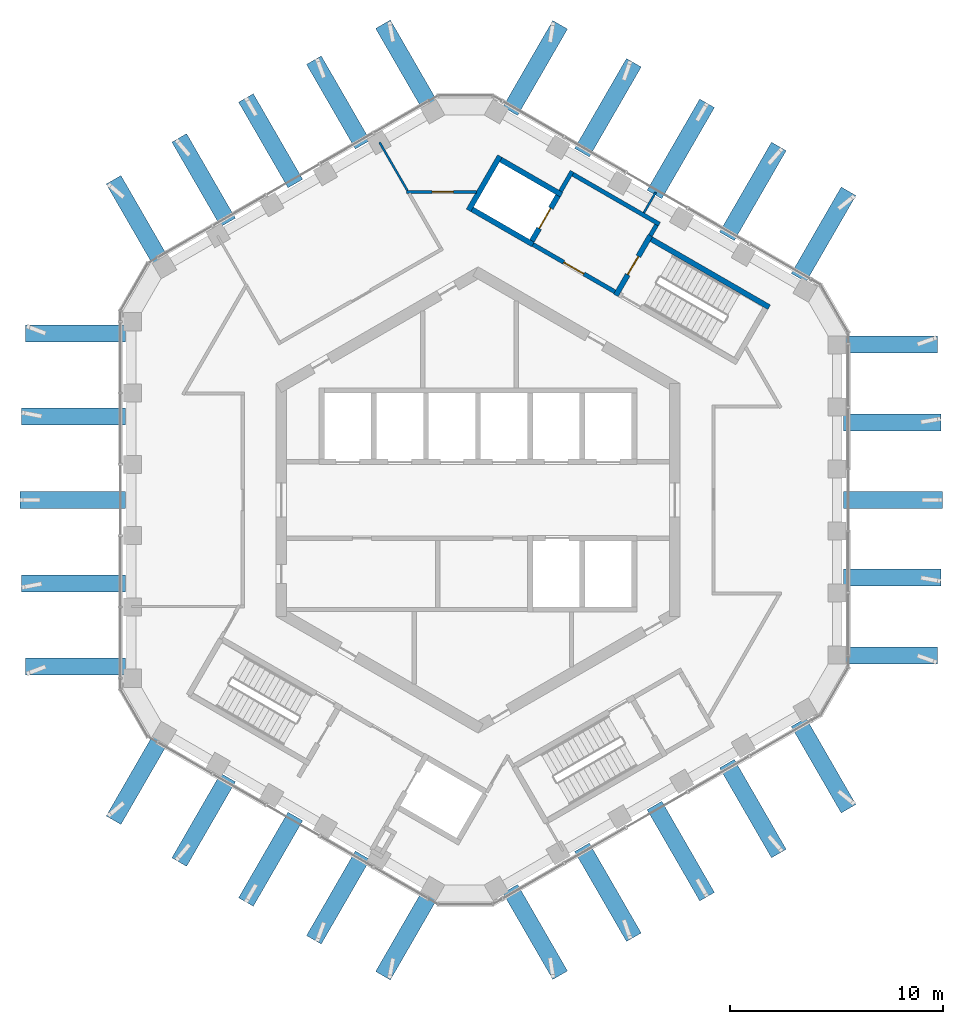
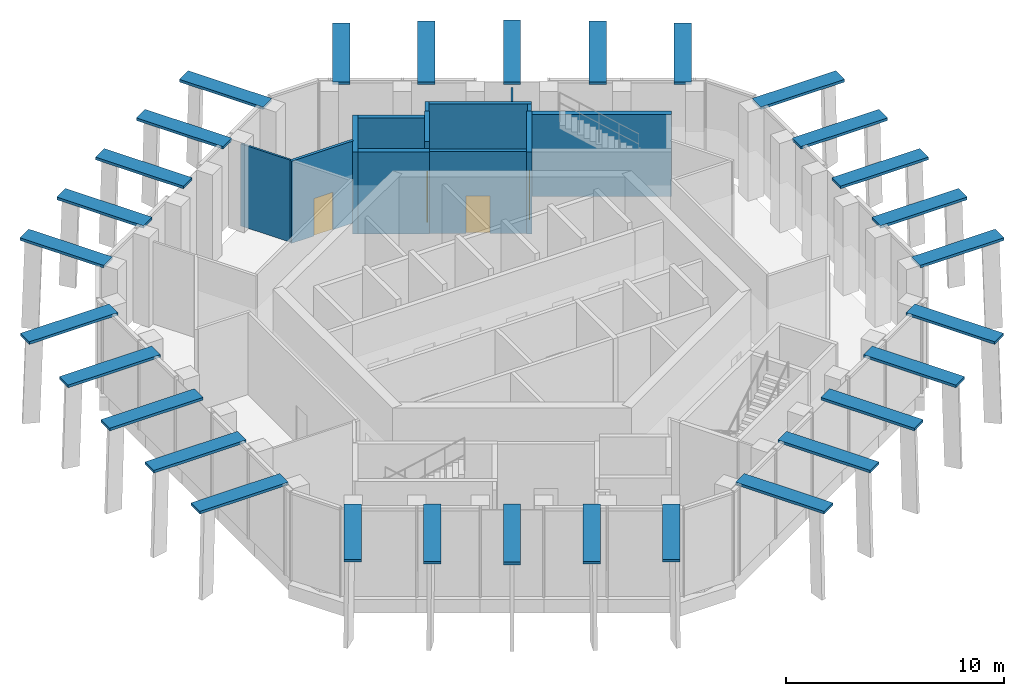
# One storey, part 13 of 17: 30 discrete accessories, 13 walls, 4 doors, 4 openings.
"""IFC4 building model written with IfcOpenShell, lengths in metres."""

from ifc_helpers import new_model, si_unit, direction, frame, frame_2d, origin, origin_2d, place, context, subcontext, project, spatial, rectangle, extrude, material, layer, layer_set, type_object, element, fill, save


model = new_model("IFC4")

# Units and contexts
model_context = context("Model", 3, precision=1e-05, world=origin(), true_north=direction((0.0, 1.0)))
body_context = subcontext(model_context, "Body", "Model", "MODEL_VIEW")
ifc_project = project(units=[si_unit("LENGTHUNIT", "METRE"), si_unit("AREAUNIT", "SQUARE_METRE"), si_unit("VOLUMEUNIT", "CUBIC_METRE"), si_unit("PLANEANGLEUNIT", "RADIAN"), si_unit("MASSUNIT", "GRAM", prefix="KILO")], contexts=[model_context])

# Site, building, storey
site_placement = place(None, origin())
site = spatial("IfcSite", under=ifc_project, at=site_placement, CompositionType="ELEMENT")
building_placement = place(site_placement, origin())
building = spatial("IfcBuilding", under=site, at=building_placement, Name="Ayvan Gate Tower", CompositionType="ELEMENT")
storey_placement = place(building_placement, frame((0.0, 0.0, 252.89990234375)))
storey = spatial("IfcBuildingStorey", under=building, at=storey_placement, Name="L68", CompositionType="ELEMENT", Elevation=252.89990234375)

# Wall, opening, door
ifc_material_1 = material(Name="Plasterboard on steel stud", Category="steel")
ifc_layer_1 = layer(ifc_material_1, 0.14990234375)
ifc_layer_set_1 = layer_set([ifc_layer_1], Name="Plasterboard on steel stud")
wall_type_1 = type_object("IfcWallType", Name="WT-CORR-150", PredefinedType="PARTITIONING", material=ifc_layer_set_1)
wall_1_placement = place(storey_placement, frame((-3.362548828125, 14.493408203125, 0.0), z_axis=(0.0, 0.0, 1.0), x_axis=(1.0, 0.0, 0.0)))
wall_1 = element("IfcWall", 1, at=wall_1_placement, inside=storey, type_object=wall_type_1, Name="IW-L68-028", PredefinedType="PARTITIONING", context=body_context, shape_type="SweptSolid", body=[
    extrude(rectangle(XDim=3.291259765625, YDim=0.14990234375, at=frame_2d((1.6455078125, 0.0))), origin(), (0.0, 0.0, 1.0), 4.60009765625),
])
opening_1_placement = place(wall_1_placement, frame((1.200439453125, 0.0, 0.0)))
opening_1 = element("IfcOpeningElement", 2, at=opening_1_placement, cuts=wall_1, Name="Opening L68-D24", PredefinedType="OPENING", context=body_context, shape_type="SweptSolid", body=[
    extrude(rectangle(XDim=1.0, YDim=2.10009765625, at=frame_2d((0.5, 1.050048828125))), frame((0.0, 0.0849609375, 0.0), z_axis=(0.0, -1.0, 0.0), x_axis=(1.0, 0.0, 0.0)), (0.0, 0.0, 1.0), 0.169921875),
])
ifc_material_2 = material(Name="Timber door leaf", Category="wood")
door_type_1 = type_object("IfcDoorType", Name="DT-1000", OperationType="NOTDEFINED", PredefinedType="DOOR", material=ifc_material_2)
door_1_placement = place(opening_1_placement, origin())
door_1 = element("IfcDoor", 3, at=door_1_placement, inside=storey, type_object=door_type_1, Name="ID-L68-024", OperationType="SINGLE_SWING_RIGHT", OverallHeight=2.10009765625, OverallWidth=1.0, PredefinedType="DOOR", context=body_context, shape_type="SweptSolid", body=[
    extrude(rectangle(XDim=1.0, YDim=2.10009765625, at=frame_2d((0.5, 1.050048828125))), frame((0.0, 0.02490234375, 0.0), z_axis=(0.0, -1.0, 0.0), x_axis=(1.0, 0.0, 0.0)), (0.0, 0.0, 1.0), 0.050048828125),
])
fill(opening_1, door_1)

# Walls
ifc_layer_2 = layer(ifc_material_1, 0.10009765625)
ifc_layer_set_2 = layer_set([ifc_layer_2], Name="Plasterboard on steel stud")
wall_type_2 = type_object("IfcWallType", Name="WT-PART-100", PredefinedType="PARTITIONING", material=ifc_layer_set_2)
wall_2_placement = place(storey_placement, frame((-4.633544921875, 16.82470703125, 0.0), z_axis=(0.0, 0.0, 1.0), x_axis=(0.49999161165, -0.866030246746, 0.0)))
element("IfcWall", 4, at=wall_2_placement, inside=storey, type_object=wall_type_2, Name="IW-L68-023", PredefinedType="PARTITIONING", context=body_context, shape_type="SweptSolid", body=[
    extrude(rectangle(XDim=2.6171875, YDim=0.10009765625, at=frame_2d((1.30859375, 0.0))), origin(), (0.0, 0.0, 1.0), 4.60009765625),
])
wall_3_placement = place(storey_placement, frame((7.800048828125, 13.510009765625, 0.0), z_axis=(0.0, 0.0, 1.0), x_axis=(0.499930968087, 0.86606525571, 0.0)))
element("IfcWall", 5, at=wall_3_placement, inside=storey, type_object=wall_type_2, Name="IW-L68-067", PredefinedType="PARTITIONING", context=body_context, shape_type="SweptSolid", body=[
    extrude(rectangle(XDim=1.114990234375, YDim=0.10009765625, at=frame_2d((0.5576171875, 0.0))), origin(), (0.0, 0.0, 1.0), 4.60009765625),
])
ifc_layer_3 = layer(ifc_material_1, 0.199951171875)
ifc_layer_set_3 = layer_set([ifc_layer_3], Name="Plasterboard on steel stud")
wall_type_3 = type_object("IfcWallType", Name="WT-RATED-200", PredefinedType="PARTITIONING", material=ifc_layer_set_3)
wall_4_placement = place(storey_placement, frame((3.885009765625, 14.52880859375, 0.0), z_axis=(0.0, 0.0, 1.0), x_axis=(0.499997628298, 0.866026773083, 0.0)))
element("IfcWall", 6, at=wall_4_placement, inside=storey, type_object=wall_type_3, Name="IW-L68-052", PredefinedType="PARTITIONING", context=body_context, shape_type="SweptSolid", body=[
    extrude(rectangle(XDim=1.0751953125, YDim=0.199951171875, at=frame_2d((0.53759765625, 0.0))), origin(), (0.0, 0.0, 1.0), 4.60009765625),
])
wall_5_placement = place(storey_placement, frame((4.458984375, 15.323486328125, 0.0), z_axis=(0.0, 0.0, 1.0), x_axis=(0.866016039709, -0.500016218704, 0.0)))
element("IfcWall", 7, at=wall_5_placement, inside=storey, type_object=wall_type_3, Name="IW-L68-054", PredefinedType="PARTITIONING", context=body_context, shape_type="SweptSolid", body=[
    extrude(rectangle(XDim=4.699951171875, YDim=0.199951171875, at=frame_2d((2.35009765625, 0.0))), origin(), (0.0, 0.0, 1.0), 4.60009765625),
])

# Wall, opening, door
wall_6_placement = place(storey_placement, frame((6.4345703125, 9.794921875, 0.0), z_axis=(0.0, 0.0, 1.0), x_axis=(-0.866012907634, 0.500021643343, 0.0)))
wall_6 = element("IfcWall", 8, at=wall_6_placement, inside=storey, type_object=wall_type_3, Name="IW-L68-060", PredefinedType="PARTITIONING", context=body_context, shape_type="SweptSolid", body=[
    extrude(rectangle(XDim=4.449951171875, YDim=0.199951171875, at=frame_2d((2.22509765625, 0.0))), origin(), (0.0, 0.0, 1.0), 4.60009765625),
])
opening_2_placement = place(wall_6_placement, frame((1.675048828125, 0.0, 0.0)))
opening_2 = element("IfcOpeningElement", 9, at=opening_2_placement, cuts=wall_6, Name="Opening L68-D12", PredefinedType="OPENING", context=body_context, shape_type="SweptSolid", body=[
    extrude(rectangle(XDim=1.10009765625, YDim=2.10009765625, at=frame_2d((0.550048828125, 1.050048828125))), frame((0.0, 0.10986328125, 0.0), z_axis=(0.0, -1.0, 0.0), x_axis=(1.0, 0.0, 0.0)), (0.0, 0.0, 1.0), 0.219970703125),
])
door_type_2 = type_object("IfcDoorType", Name="DT-1100", OperationType="NOTDEFINED", PredefinedType="DOOR", material=ifc_material_2)
door_2_placement = place(opening_2_placement, origin())
door_2 = element("IfcDoor", 10, at=door_2_placement, inside=storey, type_object=door_type_2, Name="ID-L68-012", OperationType="SINGLE_SWING_RIGHT", OverallHeight=2.10009765625, OverallWidth=1.10009765625, PredefinedType="DOOR", context=body_context, shape_type="SweptSolid", body=[
    extrude(rectangle(XDim=1.10009765625, YDim=2.10009765625, at=frame_2d((0.550048828125, 1.050048828125))), frame((0.0, 0.02490234375, 0.0), z_axis=(0.0, -1.0, 0.0), x_axis=(1.0, 0.0, 0.0)), (0.0, 0.0, 1.0), 0.050048828125),
])
fill(opening_2, door_2)

# Walls
wall_7_placement = place(storey_placement, frame((8.392822265625, 12.936767578125, 0.0), z_axis=(0.0, 0.0, 1.0), x_axis=(-0.500065409566, -0.86598763626, 0.0)))
element("IfcWall", 11, at=wall_7_placement, inside=storey, type_object=wall_type_3, Name="IW-L68-069", PredefinedType="PARTITIONING", context=body_context, shape_type="SweptSolid", body=[
    extrude(rectangle(XDim=0.5751953125, YDim=0.199951171875, at=frame_2d((0.28759765625, 0.0))), origin(), (0.0, 0.0, 1.0), 4.60009765625),
])
ifc_material_3 = material(Name="Concrete C50/60", Category="concrete")
ifc_layer_4 = layer(ifc_material_3, 0.25)
ifc_layer_set_4 = layer_set([ifc_layer_4], Name="Concrete C50/60")
wall_type_4 = type_object("IfcWallType", Name="WT-RC-250", PredefinedType="SHEAR", material=ifc_layer_set_4)
wall_8_placement = place(storey_placement, frame((-0.447998046875, 13.624267578125, 0.0), z_axis=(0.0, 0.0, 1.0), x_axis=(0.500037662692, 0.866003658127, 0.0)))
element("IfcWall", 12, at=wall_8_placement, inside=storey, type_object=wall_type_4, Name="IW-L68-038", PredefinedType="SHEAR", context=body_context, shape_type="SweptSolid", body=[
    extrude(rectangle(XDim=2.949951171875, YDim=0.25, at=frame_2d((1.47509765625, 0.0))), origin(), (0.0, 0.0, 1.0), 4.60009765625),
])
for number, where, z_axis, x_axis, name in (
    (13, (1.072998046875, 16.00830078125, 0.0), (0.0, 0.0, 1.0), (0.866040211805, -0.499974350878, 0.0), "IW-L68-041"),
    (14, (2.580810546875, 12.02001953125, 0.0), (0.0, 0.0, 1.0), (-0.866040211805, 0.499974350878, 0.0), "IW-L68-049"),
):
    element("IfcWall", number, at=place(storey_placement, frame(where, z_axis=z_axis, x_axis=x_axis)), inside=storey, type_object=wall_type_4, Name=name, PredefinedType="SHEAR", context=body_context, shape_type="SweptSolid", body=[
        extrude(rectangle(XDim=3.300048828125, YDim=0.25, at=frame_2d((1.64990234375, 0.0))), origin(), (0.0, 0.0, 1.0), 4.60009765625),
    ])

# Wall, opening, door
wall_9_placement = place(storey_placement, frame((2.534912109375, 12.19091796875, 0.0), z_axis=(0.0, 0.0, 1.0), x_axis=(0.500061746146, 0.865989751695, 0.0)))
wall_9 = element("IfcWall", 15, at=wall_9_placement, inside=storey, type_object=wall_type_4, Name="IW-L68-050", PredefinedType="SHEAR", context=body_context, shape_type="SweptSolid", body=[
    extrude(rectangle(XDim=2.449951171875, YDim=0.25, at=frame_2d((1.22509765625, 0.0))), origin(), (0.0, 0.0, 1.0), 5.0),
])
opening_3_placement = place(wall_9_placement, frame((0.675048828125, 0.0, 0.0)))
opening_3 = element("IfcOpeningElement", 16, at=opening_3_placement, cuts=wall_9, Name="Opening L68-LD-FF1", PredefinedType="OPENING", context=body_context, shape_type="SweptSolid", body=[
    extrude(rectangle(XDim=1.10009765625, YDim=2.10009765625, at=frame_2d((0.550048828125, 1.050048828125))), frame((0.0, 0.135009765625, 0.0), z_axis=(0.0, -1.0, 0.0), x_axis=(1.0, 0.0, 0.0)), (0.0, 0.0, 1.0), 0.27001953125),
])
ifc_material_4 = material(Name="Stainless steel landing door", Category="steel")
door_type_3 = type_object("IfcDoorType", Name="DT-LANDING-1100", OperationType="SLIDING_TO_LEFT", PredefinedType="DOOR", material=ifc_material_4)
door_3_placement = place(opening_3_placement, origin())
door_3 = element("IfcDoor", 17, at=door_3_placement, inside=storey, type_object=door_type_3, Name="ID-L68-013", OperationType="SLIDING_TO_LEFT", OverallHeight=2.10009765625, OverallWidth=1.10009765625, PredefinedType="DOOR", context=body_context, shape_type="SweptSolid", body=[
    extrude(rectangle(XDim=1.10009765625, YDim=2.10009765625, at=frame_2d((0.550048828125, 1.050048828125))), frame((0.0, 0.02490234375, 0.0), z_axis=(0.0, -1.0, 0.0), x_axis=(1.0, 0.0, 0.0)), (0.0, 0.0, 1.0), 0.050048828125),
])
fill(opening_3, door_3)

wall_10_placement = place(storey_placement, frame((6.480224609375, 9.624267578125, 0.0), z_axis=(0.0, 0.0, 1.0), x_axis=(0.500017246033, 0.866015446554, 0.0)))
wall_10 = element("IfcWall", 18, at=wall_10_placement, inside=storey, type_object=wall_type_4, Name="IW-L68-061", PredefinedType="SHEAR", context=body_context, shape_type="SweptSolid", body=[
    extrude(rectangle(XDim=3.25, YDim=0.25, at=frame_2d((1.625, 0.0))), origin(), (0.0, 0.0, 1.0), 4.60009765625),
])
opening_4_placement = place(wall_10_placement, frame((1.125, 0.0, 0.0)))
opening_4 = element("IfcOpeningElement", 19, at=opening_4_placement, cuts=wall_10, Name="Opening L68-D11", PredefinedType="OPENING", context=body_context, shape_type="SweptSolid", body=[
    extrude(rectangle(XDim=1.0, YDim=2.10009765625, at=frame_2d((0.5, 1.050048828125))), frame((0.0, 0.135009765625, 0.0), z_axis=(0.0, -1.0, 0.0), x_axis=(1.0, 0.0, 0.0)), (0.0, 0.0, 1.0), 0.27001953125),
])
door_4_placement = place(opening_4_placement, origin())
door_4 = element("IfcDoor", 20, at=door_4_placement, inside=storey, type_object=door_type_1, Name="ID-L68-011", OperationType="SINGLE_SWING_LEFT", OverallHeight=2.10009765625, OverallWidth=1.0, PredefinedType="DOOR", context=body_context, shape_type="SweptSolid", body=[
    extrude(rectangle(XDim=1.0, YDim=2.10009765625, at=frame_2d((0.5, 1.050048828125))), frame((0.0, 0.02490234375, 0.0), z_axis=(0.0, -1.0, 0.0), x_axis=(1.0, 0.0, 0.0)), (0.0, 0.0, 1.0), 0.050048828125),
])
fill(opening_4, door_4)

# Wall
wall_11_placement = place(storey_placement, frame((8.151123046875, 12.26806640625, 0.0), z_axis=(0.0, 0.0, 1.0), x_axis=(0.866025499775, -0.499999833739, 0.0)))
element("IfcWall", 21, at=wall_11_placement, inside=storey, type_object=wall_type_4, Name="IW-L68-068", PredefinedType="SHEAR", context=body_context, shape_type="SweptSolid", body=[
    extrude(rectangle(XDim=6.39990234375, YDim=0.25, at=frame_2d((3.199951171875, 0.0))), origin(), (0.0, 0.0, 1.0), 4.60009765625),
])

# Discrete accessories
ifc_material_5 = material(Name="Stainless steel 316", Category="steel")
ifc_layer_5 = layer(ifc_material_5, 0.1201171875)
ifc_layer_set_5 = layer_set([ifc_layer_5], Name="Stainless steel 316")
discrete_accessory_type = type_object("IfcDiscreteAccessoryType", Name="Fin carrier bracket", PredefinedType="BRACKET", material=ifc_layer_set_5)
discrete_accessory_1_placement = place(storey_placement, frame((-18.94189453125, -7.83251953125, 4.85009765625), z_axis=(0.0, 0.0, 1.0), x_axis=(0.0, -1.0, 0.0)))
element("IfcDiscreteAccessory", 22, at=discrete_accessory_1_placement, inside=storey, type_object=discrete_accessory_type, Name="Fin carrier 156", PredefinedType="BRACKET", context=body_context, shape_type="SweptSolid", body=[
    extrude(rectangle(XDim=0.800048828125, YDim=4.69580078125, at=origin_2d()), origin(), (0.0, 0.0, 1.0), 0.14990234375),
])
discrete_accessory_2_placement = place(storey_placement, frame((-19.035888671875, -3.93701171875, 4.85009765625), z_axis=(0.0, 0.0, 1.0), x_axis=(0.0, -1.0, 0.0)))
element("IfcDiscreteAccessory", 23, at=discrete_accessory_2_placement, inside=storey, type_object=discrete_accessory_type, Name="Fin carrier 164", PredefinedType="BRACKET", context=body_context, shape_type="SweptSolid", body=[
    extrude(rectangle(XDim=0.800048828125, YDim=4.884033203125, at=origin_2d()), origin(), (0.0, 0.0, 1.0), 0.14990234375),
])
discrete_accessory_3_placement = place(storey_placement, frame((-19.0703125, -0.000244140625, 4.85009765625), z_axis=(0.0, 0.0, 1.0), x_axis=(0.0, -1.0, 0.0)))
element("IfcDiscreteAccessory", 24, at=discrete_accessory_3_placement, inside=storey, type_object=discrete_accessory_type, Name="Fin carrier 173", PredefinedType="BRACKET", context=body_context, shape_type="SweptSolid", body=[
    extrude(rectangle(XDim=0.800048828125, YDim=4.95263671875, at=origin_2d()), origin(), (0.0, 0.0, 1.0), 0.14990234375),
])
discrete_accessory_4_placement = place(storey_placement, frame((-19.035888671875, 3.936767578125, 4.85009765625), z_axis=(0.0, 0.0, 1.0), x_axis=(0.0, -1.0, 0.0)))
element("IfcDiscreteAccessory", 25, at=discrete_accessory_4_placement, inside=storey, type_object=discrete_accessory_type, Name="Fin carrier 181", PredefinedType="BRACKET", context=body_context, shape_type="SweptSolid", body=[
    extrude(rectangle(XDim=0.800048828125, YDim=4.884033203125, at=origin_2d()), origin(), (0.0, 0.0, 1.0), 0.14990234375),
])
discrete_accessory_5_placement = place(storey_placement, frame((-18.94189453125, 7.83251953125, 4.85009765625), z_axis=(0.0, 0.0, 1.0), x_axis=(0.0, -1.0, 0.0)))
element("IfcDiscreteAccessory", 26, at=discrete_accessory_5_placement, inside=storey, type_object=discrete_accessory_type, Name="Fin carrier 189", PredefinedType="BRACKET", context=body_context, shape_type="SweptSolid", body=[
    extrude(rectangle(XDim=0.800048828125, YDim=4.696044921875, at=origin_2d()), origin(), (0.0, 0.0, 1.0), 0.14990234375),
])
for number, where, z_axis, x_axis, name in (
    (27, (-16.037353515625, -13.14453125, 4.85009765625), (0.0, 0.0, 1.0), (0.866025403784, -0.5, 0.0), "Fin carrier 234"),
    (28, (-16.037353515625, 13.14453125, 4.85009765625), (0.0, 0.0, 1.0), (-0.866025403784, -0.5, 0.0), "Fin carrier 243"),
):
    element("IfcDiscreteAccessory", number, at=place(storey_placement, frame(where, z_axis=z_axis, x_axis=x_axis)), inside=storey, type_object=discrete_accessory_type, Name=name, PredefinedType="BRACKET", context=body_context, shape_type="SweptSolid", body=[
        extrude(rectangle(XDim=0.800048828125, YDim=4.42919921875, at=origin_2d()), origin(), (0.0, 0.0, 1.0), 0.14990234375),
    ])
for number, where, z_axis, x_axis, name in (
    (29, (-12.907958984375, -15.044921875, 4.85009765625), (0.0, 0.0, 1.0), (0.866025403784, -0.5, 0.0), "Fin carrier 291"),
    (30, (-12.908203125, 15.044921875, 4.85009765625), (0.0, 0.0, 1.0), (-0.866025403784, -0.5, 0.0), "Fin carrier 305"),
):
    element("IfcDiscreteAccessory", number, at=place(storey_placement, frame(where, z_axis=z_axis, x_axis=x_axis)), inside=storey, type_object=discrete_accessory_type, Name=name, PredefinedType="BRACKET", context=body_context, shape_type="SweptSolid", body=[
        extrude(rectangle(XDim=0.800048828125, YDim=4.591796875, at=origin_2d()), origin(), (0.0, 0.0, 1.0), 0.14990234375),
    ])
for number, where, z_axis, x_axis, name in (
    (31, (-9.756103515625, -16.898193359375, 4.85009765625), (0.0, 0.0, 1.0), (0.866025403784, -0.5, 0.0), "Fin carrier 363"),
    (32, (-9.75634765625, 16.898193359375, 4.85009765625), (0.0, 0.0, 1.0), (-0.866025403784, -0.5, 0.0), "Fin carrier 374"),
):
    element("IfcDiscreteAccessory", number, at=place(storey_placement, frame(where, z_axis=z_axis, x_axis=x_axis)), inside=storey, type_object=discrete_accessory_type, Name=name, PredefinedType="BRACKET", context=body_context, shape_type="SweptSolid", body=[
        extrude(rectangle(XDim=0.800048828125, YDim=4.649658203125, at=origin_2d()), origin(), (0.0, 0.0, 1.0), 0.14990234375),
    ])
for number, where, z_axis, x_axis, name in (
    (33, (-6.5751953125, -18.701171875, 4.85009765625), (0.0, 0.0, 1.0), (0.866025403784, -0.5, 0.0), "Fin carrier 427"),
    (34, (-6.575439453125, 18.701171875, 4.85009765625), (0.0, 0.0, 1.0), (-0.866025403784, -0.5, 0.0), "Fin carrier 436"),
):
    element("IfcDiscreteAccessory", number, at=place(storey_placement, frame(where, z_axis=z_axis, x_axis=x_axis)), inside=storey, type_object=discrete_accessory_type, Name=name, PredefinedType="BRACKET", context=body_context, shape_type="SweptSolid", body=[
        extrude(rectangle(XDim=0.800048828125, YDim=4.591796875, at=origin_2d()), origin(), (0.0, 0.0, 1.0), 0.14990234375),
    ])
for number, where, z_axis, x_axis, name in (
    (35, (-3.36474609375, -20.4609375, 4.85009765625), (0.0, 0.0, 1.0), (0.866025403784, -0.5, 0.0), "Fin carrier 489"),
    (36, (-3.36474609375, 20.4609375, 4.85009765625), (0.0, 0.0, 1.0), (-0.866025403784, -0.5, 0.0), "Fin carrier 492"),
):
    element("IfcDiscreteAccessory", number, at=place(storey_placement, frame(where, z_axis=z_axis, x_axis=x_axis)), inside=storey, type_object=discrete_accessory_type, Name=name, PredefinedType="BRACKET", context=body_context, shape_type="SweptSolid", body=[
        extrude(rectangle(XDim=0.800048828125, YDim=4.42919921875, at=origin_2d()), origin(), (0.0, 0.0, 1.0), 0.14990234375),
    ])
discrete_accessory_6_placement = place(storey_placement, frame((2.68798828125, -20.320556640625, 4.85009765625), z_axis=(0.0, 0.0, 1.0), x_axis=(0.866025403784, 0.5, 0.0)))
element("IfcDiscreteAccessory", 37, at=discrete_accessory_6_placement, inside=storey, type_object=discrete_accessory_type, Name="Fin carrier 547", PredefinedType="BRACKET", context=body_context, shape_type="SweptSolid", body=[
    extrude(rectangle(XDim=0.800048828125, YDim=4.696044921875, at=origin_2d()), origin(), (0.0, 0.0, 1.0), 0.14990234375),
])
discrete_accessory_7_placement = place(storey_placement, frame((2.687744140625, 20.320556640625, 4.85009765625), z_axis=(0.0, 0.0, 1.0), x_axis=(-0.866025403784, 0.5, 0.0)))
element("IfcDiscreteAccessory", 38, at=discrete_accessory_7_placement, inside=storey, type_object=discrete_accessory_type, Name="Fin carrier 553", PredefinedType="BRACKET", context=body_context, shape_type="SweptSolid", body=[
    extrude(rectangle(XDim=0.800048828125, YDim=4.69580078125, at=origin_2d()), origin(), (0.0, 0.0, 1.0), 0.14990234375),
])
for number, where, z_axis, x_axis, name in (
    (39, (6.108642578125, -18.4541015625, 4.85009765625), (0.0, 0.0, 1.0), (0.866025403784, 0.5, 0.0), "Fin carrier 607"),
    (40, (6.1083984375, 18.4541015625, 4.85009765625), (0.0, 0.0, 1.0), (-0.866025403784, 0.5, 0.0), "Fin carrier 613"),
):
    element("IfcDiscreteAccessory", number, at=place(storey_placement, frame(where, z_axis=z_axis, x_axis=x_axis)), inside=storey, type_object=discrete_accessory_type, Name=name, PredefinedType="BRACKET", context=body_context, shape_type="SweptSolid", body=[
        extrude(rectangle(XDim=0.800048828125, YDim=4.884033203125, at=origin_2d()), origin(), (0.0, 0.0, 1.0), 0.14990234375),
    ])
for number, where, z_axis, x_axis, name in (
    (41, (9.535400390625, -16.515380859375, 4.85009765625), (0.0, 0.0, 1.0), (0.866025403784, 0.5, 0.0), "Fin carrier 669"),
    (42, (9.53515625, 16.515625, 4.85009765625), (0.0, 0.0, 1.0), (-0.866025403784, 0.5, 0.0), "Fin carrier 675"),
):
    element("IfcDiscreteAccessory", number, at=place(storey_placement, frame(where, z_axis=z_axis, x_axis=x_axis)), inside=storey, type_object=discrete_accessory_type, Name=name, PredefinedType="BRACKET", context=body_context, shape_type="SweptSolid", body=[
        extrude(rectangle(XDim=0.800048828125, YDim=4.95263671875, at=origin_2d()), origin(), (0.0, 0.0, 1.0), 0.14990234375),
    ])
for number, where, z_axis, x_axis, name in (
    (43, (12.927490234375, -14.51708984375, 4.85009765625), (0.0, 0.0, 1.0), (0.866025403784, 0.5, 0.0), "Fin carrier 738"),
    (44, (12.92724609375, 14.517333984375, 4.85009765625), (0.0, 0.0, 1.0), (-0.866025403784, 0.5, 0.0), "Fin carrier 742"),
):
    element("IfcDiscreteAccessory", number, at=place(storey_placement, frame(where, z_axis=z_axis, x_axis=x_axis)), inside=storey, type_object=discrete_accessory_type, Name=name, PredefinedType="BRACKET", context=body_context, shape_type="SweptSolid", body=[
        extrude(rectangle(XDim=0.800048828125, YDim=4.884033203125, at=origin_2d()), origin(), (0.0, 0.0, 1.0), 0.14990234375),
    ])
discrete_accessory_8_placement = place(storey_placement, frame((16.254150390625, -12.488037109375, 4.85009765625), z_axis=(0.0, 0.0, 1.0), x_axis=(0.866025403784, 0.5, 0.0)))
element("IfcDiscreteAccessory", 45, at=discrete_accessory_8_placement, inside=storey, type_object=discrete_accessory_type, Name="Fin carrier 785", PredefinedType="BRACKET", context=body_context, shape_type="SweptSolid", body=[
    extrude(rectangle(XDim=0.800048828125, YDim=4.69580078125, at=origin_2d()), origin(), (0.0, 0.0, 1.0), 0.14990234375),
])
discrete_accessory_9_placement = place(storey_placement, frame((16.254150390625, 12.488037109375, 4.85009765625), z_axis=(0.0, 0.0, 1.0), x_axis=(-0.866025403784, 0.5, 0.0)))
element("IfcDiscreteAccessory", 46, at=discrete_accessory_9_placement, inside=storey, type_object=discrete_accessory_type, Name="Fin carrier 788", PredefinedType="BRACKET", context=body_context, shape_type="SweptSolid", body=[
    extrude(rectangle(XDim=0.800048828125, YDim=4.696044921875, at=origin_2d()), origin(), (0.0, 0.0, 1.0), 0.14990234375),
])
discrete_accessory_10_placement = place(storey_placement, frame((19.402099609375, -7.31640625, 4.85009765625), z_axis=(0.0, 0.0, 1.0), x_axis=(0.0, 1.0, 0.0)))
element("IfcDiscreteAccessory", 47, at=discrete_accessory_10_placement, inside=storey, type_object=discrete_accessory_type, Name="Fin carrier 841", PredefinedType="BRACKET", context=body_context, shape_type="SweptSolid", body=[
    extrude(rectangle(XDim=0.800048828125, YDim=4.42919921875, at=origin_2d()), origin(), (0.0, 0.0, 1.0), 0.14990234375),
])
discrete_accessory_11_placement = place(storey_placement, frame((19.4833984375, -3.65625, 4.85009765625), z_axis=(0.0, 0.0, 1.0), x_axis=(0.0, 1.0, 0.0)))
element("IfcDiscreteAccessory", 48, at=discrete_accessory_11_placement, inside=storey, type_object=discrete_accessory_type, Name="Fin carrier 852", PredefinedType="BRACKET", context=body_context, shape_type="SweptSolid", body=[
    extrude(rectangle(XDim=0.800048828125, YDim=4.591796875, at=origin_2d()), origin(), (0.0, 0.0, 1.0), 0.14990234375),
])
discrete_accessory_12_placement = place(storey_placement, frame((19.512451171875, 0.0, 4.85009765625), z_axis=(0.0, 0.0, 1.0), x_axis=(0.0, 1.0, 0.0)))
element("IfcDiscreteAccessory", 49, at=discrete_accessory_12_placement, inside=storey, type_object=discrete_accessory_type, Name="Fin carrier 865", PredefinedType="BRACKET", context=body_context, shape_type="SweptSolid", body=[
    extrude(rectangle(XDim=0.800048828125, YDim=4.649658203125, at=origin_2d()), origin(), (0.0, 0.0, 1.0), 0.14990234375),
])
discrete_accessory_13_placement = place(storey_placement, frame((19.4833984375, 3.65625, 4.85009765625), z_axis=(0.0, 0.0, 1.0), x_axis=(0.0, 1.0, 0.0)))
element("IfcDiscreteAccessory", 50, at=discrete_accessory_13_placement, inside=storey, type_object=discrete_accessory_type, Name="Fin carrier 876", PredefinedType="BRACKET", context=body_context, shape_type="SweptSolid", body=[
    extrude(rectangle(XDim=0.800048828125, YDim=4.591796875, at=origin_2d()), origin(), (0.0, 0.0, 1.0), 0.14990234375),
])
discrete_accessory_14_placement = place(storey_placement, frame((19.402099609375, 7.316650390625, 4.85009765625), z_axis=(0.0, 0.0, 1.0), x_axis=(0.0, 1.0, 0.0)))
element("IfcDiscreteAccessory", 51, at=discrete_accessory_14_placement, inside=storey, type_object=discrete_accessory_type, Name="Fin carrier 889", PredefinedType="BRACKET", context=body_context, shape_type="SweptSolid", body=[
    extrude(rectangle(XDim=0.800048828125, YDim=4.42919921875, at=origin_2d()), origin(), (0.0, 0.0, 1.0), 0.14990234375),
])

save(model, "model.ifc")
